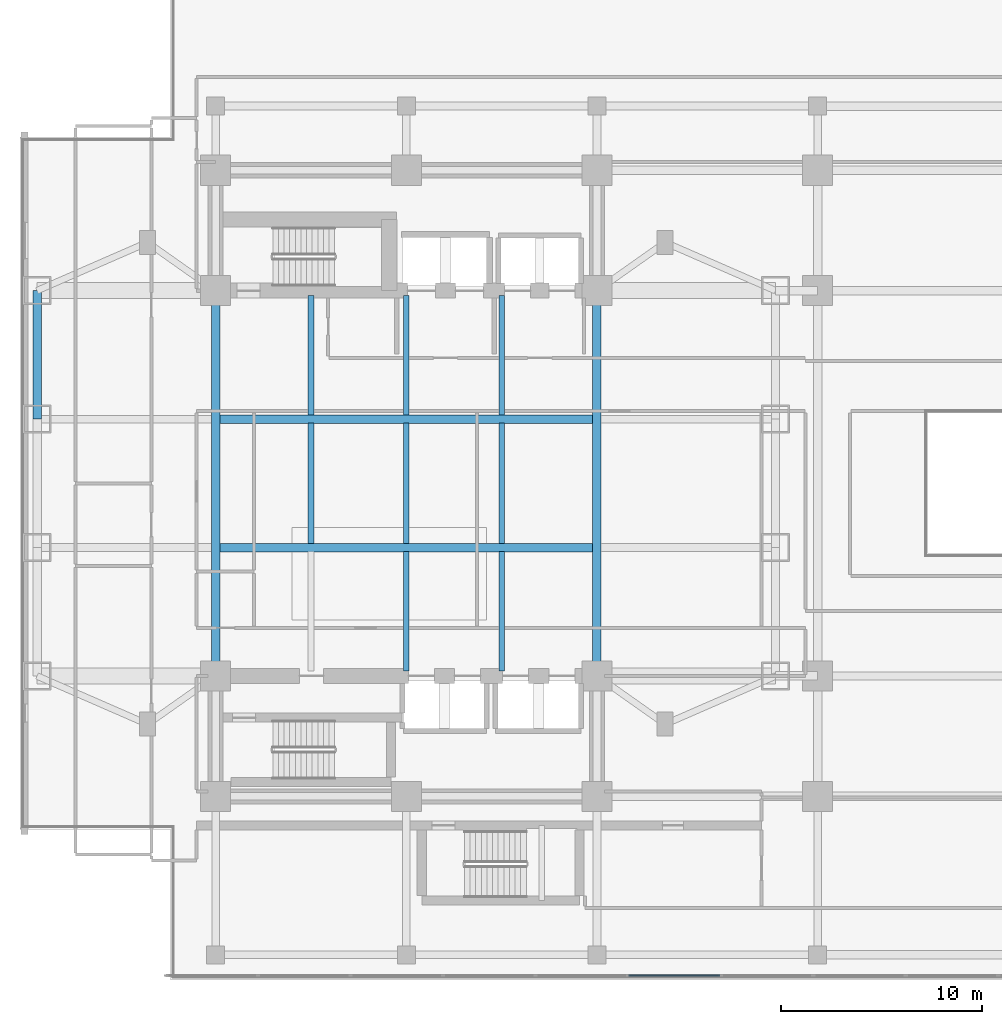
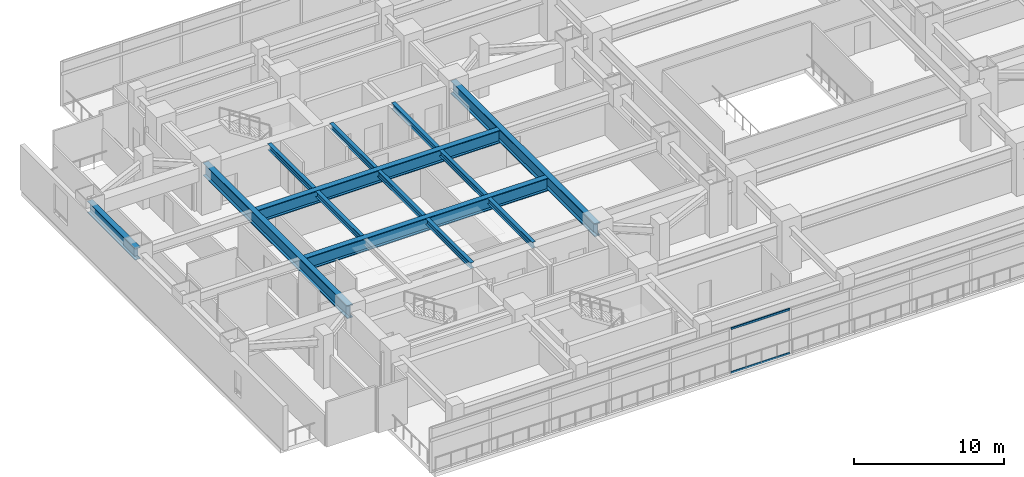
# One storey, part 3 of 26: 13 beams, 2 members, 1 element without a shape of its own.
"""IFC4 building model written with IfcOpenShell, lengths in metres."""

from ifc_helpers import new_model, si_unit, direction, frame, origin, origin_2d, place, context, subcontext, project, spatial, rectangle, i_section, extrude, material, material_profile, profile_set, type_object, element, aggregate, save


model = new_model("IFC4")

# Units and contexts
model_context = context("Model", 3, precision=1e-05, world=origin(), true_north=direction((0.0, 1.0)))
body_context = subcontext(model_context, "Body", "Model", "MODEL_VIEW")
ifc_project = project(units=[si_unit("LENGTHUNIT", "METRE"), si_unit("AREAUNIT", "SQUARE_METRE"), si_unit("VOLUMEUNIT", "CUBIC_METRE"), si_unit("PLANEANGLEUNIT", "RADIAN"), si_unit("MASSUNIT", "GRAM", prefix="KILO")], contexts=[model_context])

# Site, building, storey
site_placement = place(None, origin())
site = spatial("IfcSite", under=ifc_project, at=site_placement, CompositionType="ELEMENT")
building_placement = place(site_placement, origin())
building = spatial("IfcBuilding", under=site, at=building_placement, Name="Mirazonda Arch Towers", CompositionType="ELEMENT")
storey_placement = place(building_placement, frame((0.0, 0.0, 13.800048828125)))
storey = spatial("IfcBuildingStorey", under=building, at=storey_placement, Name="L03", CompositionType="ELEMENT", Elevation=13.800048828125)

# Beams
ifc_material_1 = material(Name="Steel ASTM A992 Grade 50", Category="steel")
ifc_material_profile_1 = material_profile(ifc_material_1, i_section(OverallWidth=0.41796875, OverallDepth=0.927001953125, WebThickness=0.019287109375, FlangeThickness=0.031982421875, at=origin_2d()), Name="W36X231")
ifc_profile_set_1 = profile_set([ifc_material_profile_1], Name="Steel ASTM A992 Grade 50")
beam_type_1 = type_object("IfcBeamType", Name="BM-EXT-W36X231", PredefinedType="USERDEFINED", material=ifc_profile_set_1)
beam_1_placement = place(storey_placement, frame((2.10009765625, 31.199951171875, 3.1865234375), z_axis=(0.0, 1.0, 0.0), x_axis=(-1.0, 0.0, 0.0)))
element("IfcBeam", 1, at=beam_1_placement, inside=storey, type_object=beam_type_1, Name="L03 Floor Beam BM-T1-L03-NS-W-31", ObjectType="GIRDER", PredefinedType="USERDEFINED", context=body_context, shape_type="SweptSolid", body=[
    extrude(i_section(OverallWidth=0.41796875, OverallDepth=0.927001953125, WebThickness=0.019287109375, FlangeThickness=0.031982421875, at=origin_2d()), origin(), (0.0, 0.0, 1.0), 6.400146484375),
])
ifc_material_profile_2 = material_profile(ifc_material_1, i_section(OverallWidth=0.280029296875, OverallDepth=0.462890625, WebThickness=0.0107421875, FlangeThickness=0.017333984375, at=origin_2d()), Name="W18X76")
ifc_profile_set_2 = profile_set([ifc_material_profile_2], Name="Steel ASTM A992 Grade 50")
beam_type_2 = type_object("IfcBeamType", Name="BM-INT-W18X76", PredefinedType="JOIST", material=ifc_profile_set_2)
beam_2_placement = place(storey_placement, frame((15.75, 31.406005859375, 3.41845703125), z_axis=(0.0, 1.0, 0.0), x_axis=(-1.0, 0.0, 0.0)))
element("IfcBeam", 2, at=beam_2_placement, inside=storey, type_object=beam_type_2, Name="L03 Floor Beam BM-T1-L03-J-157-31", PredefinedType="JOIST", context=body_context, shape_type="SweptSolid", body=[
    extrude(i_section(OverallWidth=0.280029296875, OverallDepth=0.462890625, WebThickness=0.0107421875, FlangeThickness=0.017333984375, at=origin_2d()), origin(), (0.0, 0.0, 1.0), 5.9541015625),
])
beam_3_placement = place(storey_placement, frame((15.75, 25.006103515625, 3.41845703125), z_axis=(0.0, 1.0, 0.0), x_axis=(-1.0, 0.0, 0.0)))
element("IfcBeam", 3, at=beam_3_placement, inside=storey, type_object=beam_type_2, Name="L03 Floor Beam BM-T1-L03-J-157-24", PredefinedType="JOIST", context=body_context, shape_type="SweptSolid", body=[
    extrude(i_section(OverallWidth=0.280029296875, OverallDepth=0.462890625, WebThickness=0.0107421875, FlangeThickness=0.017333984375, at=origin_2d()), origin(), (0.0, 0.0, 1.0), 5.98779296875),
])
for number, where, z_axis, x_axis, name in (
    (4, (20.5, 18.639892578125, 3.41845703125), (0.0, 1.0, 0.0), (-1.0, 0.0, 0.0), "L03 Floor Beam BM-T1-L03-J-205-18"),
    (5, (20.5, 31.406005859375, 3.41845703125), (0.0, 1.0, 0.0), (-1.0, 0.0, 0.0), "L03 Floor Beam BM-T1-L03-J-205-31"),
):
    element("IfcBeam", number, at=place(storey_placement, frame(where, z_axis=z_axis, x_axis=x_axis)), inside=storey, type_object=beam_type_2, Name=name, PredefinedType="JOIST", context=body_context, shape_type="SweptSolid", body=[
        extrude(i_section(OverallWidth=0.280029296875, OverallDepth=0.462890625, WebThickness=0.0107421875, FlangeThickness=0.017333984375, at=origin_2d()), origin(), (0.0, 0.0, 1.0), 5.9541015625),
    ])
beam_4_placement = place(storey_placement, frame((20.5, 25.006103515625, 3.41845703125), z_axis=(0.0, 1.0, 0.0), x_axis=(-1.0, 0.0, 0.0)))
element("IfcBeam", 6, at=beam_4_placement, inside=storey, type_object=beam_type_2, Name="L03 Floor Beam BM-T1-L03-J-205-24", PredefinedType="JOIST", context=body_context, shape_type="SweptSolid", body=[
    extrude(i_section(OverallWidth=0.280029296875, OverallDepth=0.462890625, WebThickness=0.0107421875, FlangeThickness=0.017333984375, at=origin_2d()), origin(), (0.0, 0.0, 1.0), 5.98779296875),
])
for number, where, z_axis, x_axis, name in (
    (7, (25.25, 18.639892578125, 3.41845703125), (0.0, 1.0, 0.0), (-1.0, 0.0, 0.0), "L03 Floor Beam BM-T1-L03-J-252-18"),
    (8, (25.25, 31.406005859375, 3.41845703125), (0.0, 1.0, 0.0), (-1.0, 0.0, 0.0), "L03 Floor Beam BM-T1-L03-J-252-31"),
):
    element("IfcBeam", number, at=place(storey_placement, frame(where, z_axis=z_axis, x_axis=x_axis)), inside=storey, type_object=beam_type_2, Name=name, PredefinedType="JOIST", context=body_context, shape_type="SweptSolid", body=[
        extrude(i_section(OverallWidth=0.280029296875, OverallDepth=0.462890625, WebThickness=0.0107421875, FlangeThickness=0.017333984375, at=origin_2d()), origin(), (0.0, 0.0, 1.0), 5.9541015625),
    ])
beam_5_placement = place(storey_placement, frame((25.25, 25.006103515625, 3.41845703125), z_axis=(0.0, 1.0, 0.0), x_axis=(-1.0, 0.0, 0.0)))
element("IfcBeam", 9, at=beam_5_placement, inside=storey, type_object=beam_type_2, Name="L03 Floor Beam BM-T1-L03-J-252-24", PredefinedType="JOIST", context=body_context, shape_type="SweptSolid", body=[
    extrude(i_section(OverallWidth=0.280029296875, OverallDepth=0.462890625, WebThickness=0.0107421875, FlangeThickness=0.017333984375, at=origin_2d()), origin(), (0.0, 0.0, 1.0), 5.98779296875),
])
ifc_material_profile_3 = material_profile(ifc_material_1, i_section(OverallWidth=0.419921875, OverallDepth=1.0400390625, WebThickness=0.031005859375, FlangeThickness=0.055908203125, at=origin_2d()), Name="W40X397")
ifc_profile_set_3 = profile_set([ifc_material_profile_3], Name="Steel ASTM A992 Grade 50")
beam_type_3 = type_object("IfcBeamType", Name="BM-INT-W40X397", PredefinedType="USERDEFINED", material=ifc_profile_set_3)
for number, where, z_axis, x_axis, name in (
    (10, (11.2099609375, 24.800048828125, 3.1298828125), (1.0, 0.0, 0.0), (0.0, 1.0, 0.0), "L03 Floor Beam BM-T1-L03-GC2"),
    (11, (11.2099609375, 31.199951171875, 3.1298828125), (1.0, 0.0, 0.0), (0.0, 1.0, 0.0), "L03 Floor Beam BM-T1-L03-GC3"),
):
    element("IfcBeam", number, at=place(storey_placement, frame(where, z_axis=z_axis, x_axis=x_axis)), inside=storey, type_object=beam_type_3, Name=name, ObjectType="GIRDER", PredefinedType="USERDEFINED", context=body_context, shape_type="SweptSolid", body=[
        extrude(i_section(OverallWidth=0.419921875, OverallDepth=1.0400390625, WebThickness=0.031005859375, FlangeThickness=0.055908203125, at=origin_2d()), origin(), (0.0, 0.0, 1.0), 18.580078125),
    ])
for number, where, z_axis, x_axis, name in (
    (12, (11.0, 18.39990234375, 3.1298828125), (0.0, 1.0, 0.0), (-1.0, 0.0, 0.0), "L03 Floor Beam BM-T1-L03-NS-CW-FULL"),
    (13, (30.0, 18.39990234375, 3.1298828125), (0.0, 1.0, 0.0), (-1.0, 0.0, 0.0), "L03 Floor Beam BM-T1-L03-NS-CE-FULL"),
):
    element("IfcBeam", number, at=place(storey_placement, frame(where, z_axis=z_axis, x_axis=x_axis)), inside=storey, type_object=beam_type_3, Name=name, ObjectType="GIRDER", PredefinedType="USERDEFINED", context=body_context, shape_type="SweptSolid", body=[
        extrude(i_section(OverallWidth=0.419921875, OverallDepth=1.0400390625, WebThickness=0.031005859375, FlangeThickness=0.055908203125, at=origin_2d()), origin(), (0.0, 0.0, 1.0), 19.2001953125),
    ])

# Curtain wall, members
ifc_material_2 = material(Name="Anodised Aluminium and Low-E Glass", Category="aluminium")
curtain_wall_type = type_object("IfcCurtainWallType", Name="CW-POD-STORE", PredefinedType="NOTDEFINED", material=ifc_material_2)
curtain_wall_placement = place(storey_placement, origin())
curtain_wall = element("IfcCurtainWall", 14, at=curtain_wall_placement, inside=storey, type_object=curtain_wall_type, Name="L03 Curtain Wall CW-L03-S1", PredefinedType="NOTDEFINED")
ifc_material_3 = material(Name="Anodised Aluminium Alloy", Category="aluminium")
ifc_material_profile_4 = material_profile(ifc_material_3, rectangle(XDim=0.080078125, YDim=0.159912109375, at=origin_2d()), Name="ALU-TRAN-80x160")
ifc_profile_set_4 = profile_set([ifc_material_profile_4], Name="Anodised Aluminium Alloy")
member_type = type_object("IfcMemberType", Name="TRAN-CW-POD-STORE", PredefinedType="USERDEFINED", material=ifc_profile_set_4)
member_1_placement = place(storey_placement, frame((36.126708984375, 3.469970703125, 0.0400390625), z_axis=(-1.0, 0.0, 0.0), x_axis=(0.0, -1.0, 0.0)))
member_1 = element("IfcMember", 15, at=member_1_placement, type_object=member_type, Name="CW-102 transom 13.1", ObjectType="TRANSOM", PredefinedType="USERDEFINED", context=body_context, shape_type="SweptSolid", body=[
    extrude(rectangle(XDim=0.080078125, YDim=0.159912109375, at=origin_2d()), origin(), (0.0, 0.0, 1.0), 4.53125),
])
member_2_placement = place(storey_placement, frame((36.126708984375, 3.469970703125, 3.58984375), z_axis=(-1.0, 0.0, 0.0), x_axis=(0.0, -1.0, 0.0)))
member_2 = element("IfcMember", 16, at=member_2_placement, type_object=member_type, Name="CW-102 transom 13.2", ObjectType="TRANSOM", PredefinedType="USERDEFINED", context=body_context, shape_type="SweptSolid", body=[
    extrude(rectangle(XDim=0.080078125, YDim=0.159912109375, at=origin_2d()), origin(), (0.0, 0.0, 1.0), 4.53125),
])
aggregate(curtain_wall, [member_1, member_2])

save(model, "model.ifc")
